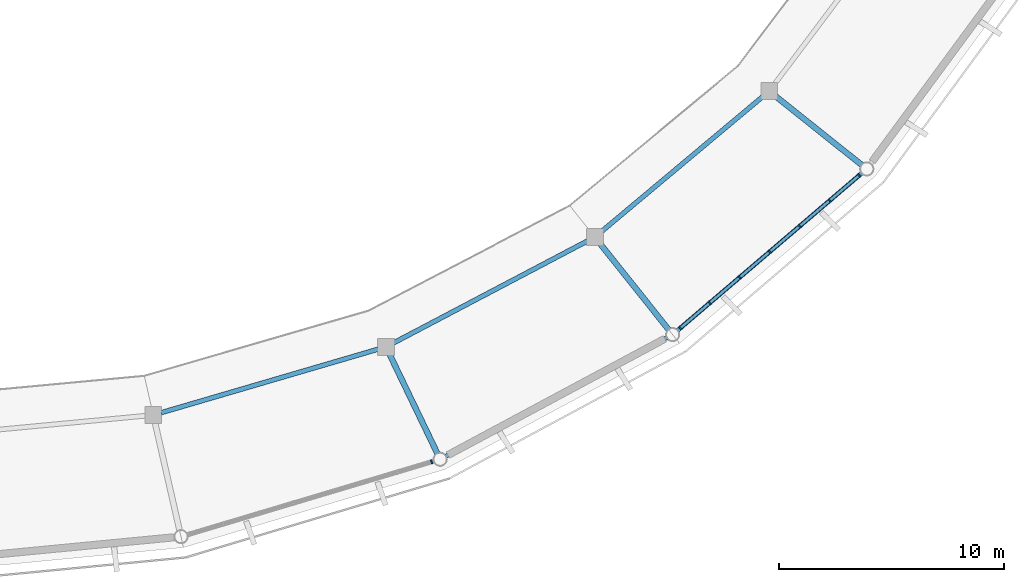
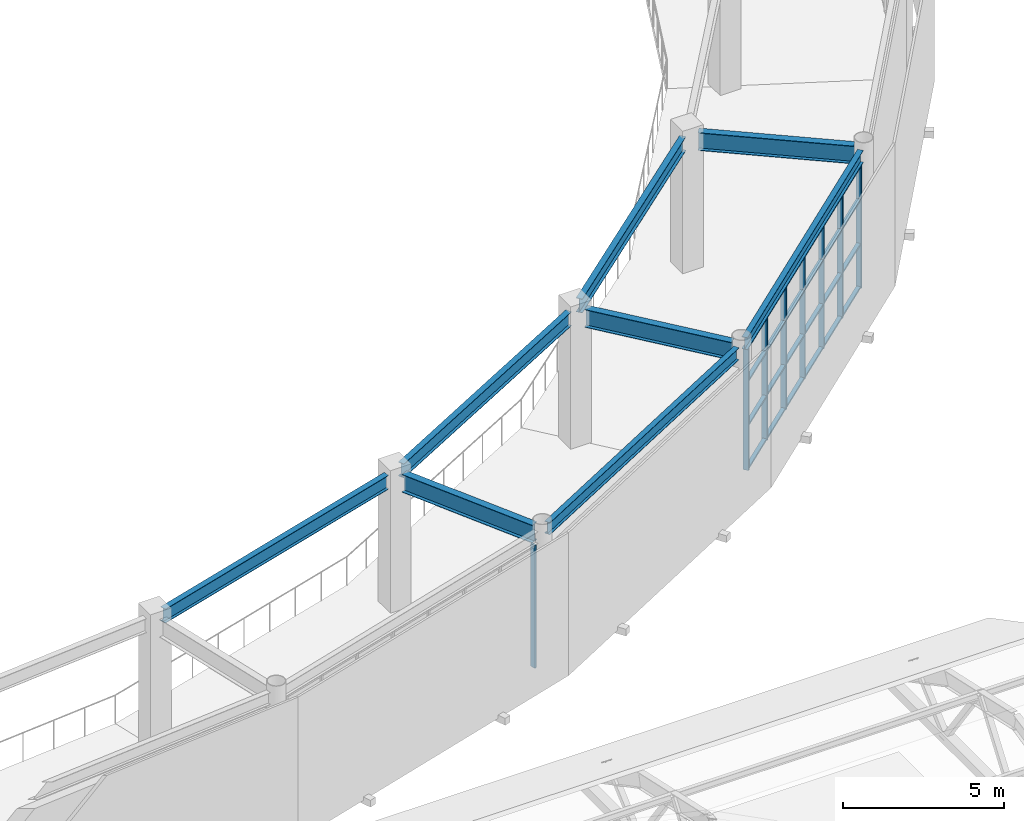
# One storey, part 22 of 70: 32 members, 8 beams, 2 elements without a shape of their own.
"""IFC4 building model written with IfcOpenShell, lengths in metres."""

import ifcopenshell
import ifcopenshell.guid

model = None  # the IFC model being written
_history = None  # IfcOwnerHistory: only IFC2X3 demands one
_inside = {}  # id of a spatial element -> (the spatial element, [elements in it])
_under = {}  # id of a project, library or spatial element -> (it, [spatial elements below it])
_declared = {}  # id of a project -> (the project, [libraries it declares])
_typed = {}  # id of a type object -> (the type object, [elements of that type])
_made_of = {}  # id of a material, layer set ... -> (it, [elements and type objects made of it])


def new_model(schema):
    """Start an empty IFC model of exactly this schema.

    Asked for "IFC4X3", IfcOpenShell would pick the latest addendum, in which some entities
    have other attributes; the version numbers below select the first issue.
    IFC2X3 requires an IfcOwnerHistory on every rooted entity: one is made here for all.
    """
    global model, _history
    if schema == "IFC4X3":
        model = ifcopenshell.file(schema_version=(4, 3, 0, 0))
    else:
        model = ifcopenshell.file(schema=schema)
    _inside.clear()
    _under.clear()
    _declared.clear()
    _typed.clear()
    _made_of.clear()
    _history = None
    if model.schema == "IFC2X3":
        org = make("IfcOrganization", Name="unknown")
        user = make(
            "IfcPersonAndOrganization",
            ThePerson=make("IfcPerson", FamilyName="unknown"),
            TheOrganization=org,
        )
        app = make(
            "IfcApplication",
            ApplicationDeveloper=org,
            Version="unknown",
            ApplicationFullName="unknown",
            ApplicationIdentifier="unknown",
        )
        _history = make(
            "IfcOwnerHistory",
            OwningUser=user,
            OwningApplication=app,
            ChangeAction="ADDED",
            CreationDate=0,
        )
    return model


def make(cls, **values):
    """One entity of the class cls with the attributes given. An attribute that is None is left unset."""
    return model.create_entity(
        cls, **{name: value for name, value in values.items() if value is not None}
    )


def rooted(cls, **values):
    """An entity with a GlobalId (a new one), such as an element, a storey or a relation."""
    return make(cls, GlobalId=ifcopenshell.guid.new(), OwnerHistory=_history, **values)


def si_unit(unit_type, name, prefix=None):
    """IfcSIUnit, for example si_unit("LENGTHUNIT", "METRE", prefix="MILLI")."""
    return make("IfcSIUnit", UnitType=unit_type, Prefix=prefix, Name=name)


def assignment(units):
    """IfcUnitAssignment: the units of a project."""
    return None if units is None else make("IfcUnitAssignment", Units=units)


def point(xyz):
    """IfcCartesianPoint."""
    return None if xyz is None else make("IfcCartesianPoint", Coordinates=xyz)


def direction(xyz):
    """IfcDirection."""
    return None if xyz is None else make("IfcDirection", DirectionRatios=xyz)


def frame(location, z_axis=None, x_axis=None):
    """IfcAxis2Placement3D, a coordinate frame: its origin and axes. An axis left out is left unset."""
    return make(
        "IfcAxis2Placement3D",
        Location=point(location),
        Axis=direction(z_axis),
        RefDirection=direction(x_axis),
    )


def frame_2d(location, x_axis=None):
    """IfcAxis2Placement2D, a coordinate frame in the plane: its origin and x axis."""
    return make(
        "IfcAxis2Placement2D", Location=point(location), RefDirection=direction(x_axis)
    )


def origin():
    """The frame at (0, 0, 0) with its axes left unset."""
    return frame((0.0, 0.0, 0.0))


def origin_2d():
    """The frame at (0, 0) in the plane with its x axis left unset."""
    return frame_2d((0.0, 0.0))


def place(relative_to, where):
    """IfcLocalPlacement: puts the frame where relative to a parent placement (None: the world)."""
    return make(
        "IfcLocalPlacement", PlacementRelTo=relative_to, RelativePlacement=where
    )


def context(
    kind, dimensions, precision=None, world=None, true_north=None, identifier=None
):
    """IfcGeometricRepresentationContext, for example the 3D "Model" context."""
    return make(
        "IfcGeometricRepresentationContext",
        ContextIdentifier=identifier,
        ContextType=kind,
        CoordinateSpaceDimension=dimensions,
        Precision=precision,
        WorldCoordinateSystem=world,
        TrueNorth=true_north,
    )


def subcontext(parent, identifier, kind, view, scale=None):
    """IfcGeometricRepresentationSubContext, for example "Body" below "Model"."""
    return make(
        "IfcGeometricRepresentationSubContext",
        ContextIdentifier=identifier,
        ContextType=kind,
        ParentContext=parent,
        TargetScale=scale,
        TargetView=view,
    )


def project(units=None, contexts=None):
    """IfcProject with its units and contexts."""
    return rooted(
        "IfcProject",
        Name="project",
        RepresentationContexts=contexts,
        UnitsInContext=assignment(units),
    )


def spatial(cls, under=None, at=None, **own):
    """A site, building, storey or space (cls), placed at a placement, below another one or the project."""
    s = rooted(cls, ObjectPlacement=at, **own)
    if under is not None:
        _under.setdefault(under.id(), (under, []))[1].append(s)
    return s


def profile(cls, at=None, kind="AREA", **sizes):
    """A parametric profile (cls). Its sizes go by their IFC names, for example OverallWidth=200.0."""
    return make(cls, ProfileType=kind, Position=at, **sizes)


def rectangle(**sizes):
    """IfcRectangleProfileDef."""
    return profile("IfcRectangleProfileDef", **sizes)


def i_section(**sizes):
    """IfcIShapeProfileDef."""
    return profile("IfcIShapeProfileDef", **sizes)


def extrude(swept, where, along, depth):
    """IfcExtrudedAreaSolid: the profile swept, set in the frame where, extruded along a direction by depth."""
    return make(
        "IfcExtrudedAreaSolid",
        SweptArea=swept,
        Position=where,
        ExtrudedDirection=direction(along),
        Depth=depth,
    )


def shape(context_of_items, identifier, shape_type, items):
    """IfcShapeRepresentation: the items that make up one representation, for example the "Body"."""
    return make(
        "IfcShapeRepresentation",
        ContextOfItems=context_of_items,
        RepresentationIdentifier=identifier,
        RepresentationType=shape_type,
        Items=items,
    )


def material(Name=None, Category=None):
    """IfcMaterial."""
    return make("IfcMaterial", Name=Name, Category=Category)


def material_profile(
    of_material, cross_section, Name=None, Category=None, Priority=None
):
    """IfcMaterialProfile: a cross section and its material."""
    return make(
        "IfcMaterialProfile",
        Name=Name,
        Material=of_material,
        Profile=cross_section,
        Priority=Priority,
        Category=Category,
    )


def profile_set(profiles, Name=None, composite=None):
    """IfcMaterialProfileSet."""
    return make(
        "IfcMaterialProfileSet",
        Name=Name,
        MaterialProfiles=profiles,
        CompositeProfile=composite,
    )


def made_of(thing, what):
    """Note that an element or type object is made of a material, layer set ...; save() writes the relation."""
    if what is not None:
        _made_of.setdefault(what.id(), (what, []))[1].append(thing)
    return thing


def type_object(cls, material=None, **own):
    """A type object (cls), such as IfcWallType, which elements share."""
    return made_of(rooted(cls, **own), material)


def element(
    cls,
    number,
    at=None,
    inside=None,
    cuts=None,
    type_object=None,
    material=None,
    context=None,
    identifier="Body",
    shape_type=None,
    held_by="IfcProductDefinitionShape",
    body=None,
    shapes=None,
    **own,
):
    """One element of the class cls, such as IfcWall. Its Tag is "e" and its number.

    at: its placement. inside: the storey or other place that contains it. cuts: it is an
    opening in that element (IfcRelVoidsElement). A single representation is given by context,
    identifier, shape_type and body (its items); several are given by shapes. held_by: the class
    of the entity that holds the representations. save() writes the other relations.
    """
    e = rooted(cls, Tag="e%d" % number, ObjectPlacement=at, **own)
    if body is not None:
        shapes = [shape(context, identifier, shape_type, body)]
    if shapes is not None:
        e.Representation = make(held_by, Representations=shapes)
    if inside is not None:
        _inside.setdefault(inside.id(), (inside, []))[1].append(e)
    if cuts is not None:
        rooted(
            "IfcRelVoidsElement", RelatingBuildingElement=cuts, RelatedOpeningElement=e
        )
    if type_object is not None:
        _typed.setdefault(type_object.id(), (type_object, []))[1].append(e)
    return made_of(e, material)


def aggregate(whole, parts):
    """IfcRelAggregates: a whole, such as a stair, and the parts it consists of."""
    return rooted("IfcRelAggregates", RelatingObject=whole, RelatedObjects=parts)


def save(model, path):
    """Write the relations noted so far, then the file.

    IfcRelAggregates (storeys below a building ...), IfcRelContainedInSpatialStructure (elements
    in a storey), IfcRelDefinesByType, IfcRelAssociatesMaterial and IfcRelDeclares: one each for
    every whole, place, type object, material and project.
    """
    for whole, parts in _under.values():
        aggregate(whole, parts)
    for where, things in _inside.values():
        rooted(
            "IfcRelContainedInSpatialStructure",
            RelatedElements=things,
            RelatingStructure=where,
        )
    for kind, things in _typed.values():
        rooted("IfcRelDefinesByType", RelatedObjects=things, RelatingType=kind)
    for what, things in _made_of.values():
        rooted("IfcRelAssociatesMaterial", RelatedObjects=things, RelatingMaterial=what)
    for by, libraries in _declared.values():
        rooted("IfcRelDeclares", RelatingContext=by, RelatedDefinitions=libraries)
    model.write(path)


model = new_model("IFC4")

# Units and contexts
model_context = context("Model", 3, precision=1e-05, world=origin(), true_north=direction((0.0, 1.0)))
body_context = subcontext(model_context, "Body", "Model", "MODEL_VIEW")
ifc_project = project(units=[si_unit("LENGTHUNIT", "METRE"), si_unit("AREAUNIT", "SQUARE_METRE"), si_unit("VOLUMEUNIT", "CUBIC_METRE"), si_unit("PLANEANGLEUNIT", "RADIAN"), si_unit("MASSUNIT", "GRAM", prefix="KILO")], contexts=[model_context])

# Site, building, storey
site_placement = place(None, origin())
site = spatial("IfcSite", under=ifc_project, at=site_placement, CompositionType="ELEMENT")
building_placement = place(site_placement, origin())
building = spatial("IfcBuilding", under=site, at=building_placement, Name="Cuetzalor Civic Arena", CompositionType="ELEMENT")
storey_placement = place(building_placement, frame((0.0, 0.0, 21.0)))
storey = spatial("IfcBuildingStorey", under=building, at=storey_placement, Name="L04", CompositionType="ELEMENT", Elevation=21.0)

# Curtain wall, member
ifc_material_1 = material(Name="Anodised dark bronze aluminium and low-E solar glass", Category="aluminium")
curtain_wall_type_1 = type_object("IfcCurtainWallType", Name="UnitisedCW_11300x4650", PredefinedType="USERDEFINED", material=ifc_material_1)
curtain_wall_1_placement = place(storey_placement, origin())
curtain_wall_1 = element("IfcCurtainWall", 1, at=curtain_wall_1_placement, inside=storey, type_object=curtain_wall_type_1, Name="Drum Triangle Foyer Curtain Wall L04-066", ObjectType="UNITISED CURTAIN WALL", PredefinedType="USERDEFINED")
ifc_material_2 = material(Name="Anodised dark bronze aluminium", Category="aluminium")
ifc_material_profile_1 = material_profile(ifc_material_2, rectangle(XDim=0.070068359375, YDim=0.179931640625, at=origin_2d()), Name="ALU MULLION 70x180")
ifc_profile_set_1 = profile_set([ifc_material_profile_1], Name="Anodised dark bronze aluminium")
member_type_1 = type_object("IfcMemberType", Name="CurtainWallMullion_65x180", PredefinedType="MULLION", material=ifc_profile_set_1)
member_1_placement = place(storey_placement, frame((23.28857421875, -42.053466796875, 0.0), z_axis=(0.0, 0.0, 1.0), x_axis=(-0.958193690548, -0.286120344251, 0.0)))
member_1 = element("IfcMember", 2, at=member_1_placement, type_object=member_type_1, Name="CW-09 mullion 1", PredefinedType="MULLION", context=body_context, shape_type="SweptSolid", body=[
    extrude(rectangle(XDim=0.070068359375, YDim=0.179931640625, at=origin_2d()), origin(), (0.0, 0.0, 1.0), 4.653076171875),
])
aggregate(curtain_wall_1, [member_1])

# Curtain wall, members
ifc_material_3 = material(Name="Anodised dark bronze aluminium and low-E solar glass", Category="aluminium")
curtain_wall_type_2 = type_object("IfcCurtainWallType", Name="UnitisedCW_10550x4650", PredefinedType="USERDEFINED", material=ifc_material_3)
curtain_wall_2_placement = place(storey_placement, origin())
curtain_wall_2 = element("IfcCurtainWall", 3, at=curtain_wall_2_placement, inside=storey, type_object=curtain_wall_type_2, Name="Drum Triangle Foyer Curtain Wall L04-067", ObjectType="UNITISED CURTAIN WALL", PredefinedType="USERDEFINED")
member_2_placement = place(storey_placement, frame((42.308837890625, -29.313720703125, 0.0), z_axis=(0.0, 0.0, 1.0), x_axis=(-0.760677142663, -0.64913040649, 0.0)))
member_2 = element("IfcMember", 4, at=member_2_placement, type_object=member_type_1, Name="CW-10 mullion 1", PredefinedType="MULLION", context=body_context, shape_type="SweptSolid", body=[
    extrude(rectangle(XDim=0.070068359375, YDim=0.179931640625, at=origin_2d()), origin(), (0.0, 0.0, 1.0), 4.653076171875),
])
member_3_placement = place(storey_placement, frame((41.00048828125, -30.43017578125, 0.0), z_axis=(0.0, 0.0, 1.0), x_axis=(-0.760677142663, -0.64913040649, 0.0)))
member_3 = element("IfcMember", 5, at=member_3_placement, type_object=member_type_1, Name="CW-10 mullion 2", PredefinedType="MULLION", context=body_context, shape_type="SweptSolid", body=[
    extrude(rectangle(XDim=0.070068359375, YDim=0.179931640625, at=origin_2d()), origin(), (0.0, 0.0, 1.0), 4.653076171875),
])
member_4_placement = place(storey_placement, frame((39.665283203125, -31.569580078125, 0.0), z_axis=(0.0, 0.0, 1.0), x_axis=(-0.760677142663, -0.64913040649, 0.0)))
member_4 = element("IfcMember", 6, at=member_4_placement, type_object=member_type_1, Name="CW-10 mullion 3", PredefinedType="MULLION", context=body_context, shape_type="SweptSolid", body=[
    extrude(rectangle(XDim=0.070068359375, YDim=0.179931640625, at=origin_2d()), origin(), (0.0, 0.0, 1.0), 4.653076171875),
])
member_5_placement = place(storey_placement, frame((38.330078125, -32.708984375, 0.0), z_axis=(0.0, 0.0, 1.0), x_axis=(-0.760677142663, -0.64913040649, 0.0)))
member_5 = element("IfcMember", 7, at=member_5_placement, type_object=member_type_1, Name="CW-10 mullion 4", PredefinedType="MULLION", context=body_context, shape_type="SweptSolid", body=[
    extrude(rectangle(XDim=0.070068359375, YDim=0.179931640625, at=origin_2d()), origin(), (0.0, 0.0, 1.0), 4.653076171875),
])
member_6_placement = place(storey_placement, frame((36.9951171875, -33.84814453125, 0.0), z_axis=(0.0, 0.0, 1.0), x_axis=(-0.760677142663, -0.64913040649, 0.0)))
member_6 = element("IfcMember", 8, at=member_6_placement, type_object=member_type_1, Name="CW-10 mullion 5", PredefinedType="MULLION", context=body_context, shape_type="SweptSolid", body=[
    extrude(rectangle(XDim=0.070068359375, YDim=0.179931640625, at=origin_2d()), origin(), (0.0, 0.0, 1.0), 4.653076171875),
])
member_7_placement = place(storey_placement, frame((35.659912109375, -34.987548828125, 0.0), z_axis=(0.0, 0.0, 1.0), x_axis=(-0.760677142663, -0.64913040649, 0.0)))
member_7 = element("IfcMember", 9, at=member_7_placement, type_object=member_type_1, Name="CW-10 mullion 6", PredefinedType="MULLION", context=body_context, shape_type="SweptSolid", body=[
    extrude(rectangle(XDim=0.070068359375, YDim=0.179931640625, at=origin_2d()), origin(), (0.0, 0.0, 1.0), 4.653076171875),
])
member_8_placement = place(storey_placement, frame((34.351318359375, -36.104248046875, 0.0), z_axis=(0.0, 0.0, 1.0), x_axis=(-0.760677142663, -0.64913040649, 0.0)))
member_8 = element("IfcMember", 10, at=member_8_placement, type_object=member_type_1, Name="CW-10 mullion 7", PredefinedType="MULLION", context=body_context, shape_type="SweptSolid", body=[
    extrude(rectangle(XDim=0.070068359375, YDim=0.179931640625, at=origin_2d()), origin(), (0.0, 0.0, 1.0), 4.653076171875),
])
ifc_material_4 = material(Name="Anodised dark bronze aluminium", Category="aluminium")
ifc_material_profile_2 = material_profile(ifc_material_4, rectangle(XDim=0.139892578125, YDim=0.070068359375, at=origin_2d()), Name="ALU TRANSOM 70x140")
ifc_profile_set_2 = profile_set([ifc_material_profile_2], Name="Anodised dark bronze aluminium")
member_type_2 = type_object("IfcMemberType", Name="CurtainWallTransom_65x140", PredefinedType="USERDEFINED", material=ifc_profile_set_2)
member_9_placement = place(storey_placement, frame((42.2822265625, -29.33642578125, 0.034912109375), z_axis=(-0.760685671195, -0.64912041228, 0.0), x_axis=(0.64912041228, -0.760685671195, 0.0)))
member_9 = element("IfcMember", 11, at=member_9_placement, type_object=member_type_2, Name="CW-10 transom 1.1", ObjectType="TRANSOM", PredefinedType="USERDEFINED", context=body_context, shape_type="SweptSolid", body=[
    extrude(rectangle(XDim=0.139892578125, YDim=0.070068359375, at=origin_2d()), origin(), (0.0, 0.0, 1.0), 1.64990234375),
])
member_10_placement = place(storey_placement, frame((42.2822265625, -29.33642578125, 1.675048828125), z_axis=(-0.760685671195, -0.64912041228, 0.0), x_axis=(0.64912041228, -0.760685671195, 0.0)))
member_10 = element("IfcMember", 12, at=member_10_placement, type_object=member_type_2, Name="CW-10 transom 1.2", ObjectType="TRANSOM", PredefinedType="USERDEFINED", context=body_context, shape_type="SweptSolid", body=[
    extrude(rectangle(XDim=0.139892578125, YDim=0.070068359375, at=origin_2d()), origin(), (0.0, 0.0, 1.0), 1.64990234375),
])
member_11_placement = place(storey_placement, frame((42.2822265625, -29.33642578125, 3.35009765625), z_axis=(-0.760685671195, -0.64912041228, 0.0), x_axis=(0.64912041228, -0.760685671195, 0.0)))
member_11 = element("IfcMember", 13, at=member_11_placement, type_object=member_type_2, Name="CW-10 transom 1.3", ObjectType="TRANSOM", PredefinedType="USERDEFINED", context=body_context, shape_type="SweptSolid", body=[
    extrude(rectangle(XDim=0.139892578125, YDim=0.070068359375, at=origin_2d()), origin(), (0.0, 0.0, 1.0), 1.64990234375),
])
member_12_placement = place(storey_placement, frame((42.2822265625, -29.33642578125, 4.617919921875), z_axis=(-0.760685671195, -0.64912041228, 0.0), x_axis=(0.64912041228, -0.760685671195, 0.0)))
member_12 = element("IfcMember", 14, at=member_12_placement, type_object=member_type_2, Name="CW-10 transom 1.4", ObjectType="TRANSOM", PredefinedType="USERDEFINED", context=body_context, shape_type="SweptSolid", body=[
    extrude(rectangle(XDim=0.139892578125, YDim=0.070068359375, at=origin_2d()), origin(), (0.0, 0.0, 1.0), 1.64990234375),
])
member_13_placement = place(storey_placement, frame((40.973876953125, -30.452880859375, 0.034912109375), z_axis=(-0.760676154185, -0.649131564826, 0.0), x_axis=(0.649131564826, -0.760676154185, 0.0)))
member_13 = element("IfcMember", 15, at=member_13_placement, type_object=member_type_2, Name="CW-10 transom 2.1", ObjectType="TRANSOM", PredefinedType="USERDEFINED", context=body_context, shape_type="SweptSolid", body=[
    extrude(rectangle(XDim=0.139892578125, YDim=0.070068359375, at=origin_2d()), origin(), (0.0, 0.0, 1.0), 1.685302734375),
])
member_14_placement = place(storey_placement, frame((40.973876953125, -30.452880859375, 1.675048828125), z_axis=(-0.760676154185, -0.649131564826, 0.0), x_axis=(0.649131564826, -0.760676154185, 0.0)))
member_14 = element("IfcMember", 16, at=member_14_placement, type_object=member_type_2, Name="CW-10 transom 2.2", ObjectType="TRANSOM", PredefinedType="USERDEFINED", context=body_context, shape_type="SweptSolid", body=[
    extrude(rectangle(XDim=0.139892578125, YDim=0.070068359375, at=origin_2d()), origin(), (0.0, 0.0, 1.0), 1.685302734375),
])
member_15_placement = place(storey_placement, frame((40.973876953125, -30.452880859375, 3.35009765625), z_axis=(-0.760676154185, -0.649131564826, 0.0), x_axis=(0.649131564826, -0.760676154185, 0.0)))
member_15 = element("IfcMember", 17, at=member_15_placement, type_object=member_type_2, Name="CW-10 transom 2.3", ObjectType="TRANSOM", PredefinedType="USERDEFINED", context=body_context, shape_type="SweptSolid", body=[
    extrude(rectangle(XDim=0.139892578125, YDim=0.070068359375, at=origin_2d()), origin(), (0.0, 0.0, 1.0), 1.685302734375),
])
member_16_placement = place(storey_placement, frame((40.973876953125, -30.452880859375, 4.617919921875), z_axis=(-0.760676154185, -0.649131564826, 0.0), x_axis=(0.649131564826, -0.760676154185, 0.0)))
member_16 = element("IfcMember", 18, at=member_16_placement, type_object=member_type_2, Name="CW-10 transom 2.4", ObjectType="TRANSOM", PredefinedType="USERDEFINED", context=body_context, shape_type="SweptSolid", body=[
    extrude(rectangle(XDim=0.139892578125, YDim=0.070068359375, at=origin_2d()), origin(), (0.0, 0.0, 1.0), 1.685302734375),
])
member_17_placement = place(storey_placement, frame((39.638671875, -31.59228515625, 0.034912109375), z_axis=(-0.760676154185, -0.649131564826, 0.0), x_axis=(0.649131564826, -0.760676154185, 0.0)))
member_17 = element("IfcMember", 19, at=member_17_placement, type_object=member_type_2, Name="CW-10 transom 3.1", ObjectType="TRANSOM", PredefinedType="USERDEFINED", context=body_context, shape_type="SweptSolid", body=[
    extrude(rectangle(XDim=0.139892578125, YDim=0.070068359375, at=origin_2d()), origin(), (0.0, 0.0, 1.0), 1.685302734375),
])
member_18_placement = place(storey_placement, frame((39.638671875, -31.59228515625, 1.675048828125), z_axis=(-0.760676154185, -0.649131564826, 0.0), x_axis=(0.649131564826, -0.760676154185, 0.0)))
member_18 = element("IfcMember", 20, at=member_18_placement, type_object=member_type_2, Name="CW-10 transom 3.2", ObjectType="TRANSOM", PredefinedType="USERDEFINED", context=body_context, shape_type="SweptSolid", body=[
    extrude(rectangle(XDim=0.139892578125, YDim=0.070068359375, at=origin_2d()), origin(), (0.0, 0.0, 1.0), 1.685302734375),
])
member_19_placement = place(storey_placement, frame((39.638671875, -31.59228515625, 3.35009765625), z_axis=(-0.760676154185, -0.649131564826, 0.0), x_axis=(0.649131564826, -0.760676154185, 0.0)))
member_19 = element("IfcMember", 21, at=member_19_placement, type_object=member_type_2, Name="CW-10 transom 3.3", ObjectType="TRANSOM", PredefinedType="USERDEFINED", context=body_context, shape_type="SweptSolid", body=[
    extrude(rectangle(XDim=0.139892578125, YDim=0.070068359375, at=origin_2d()), origin(), (0.0, 0.0, 1.0), 1.685302734375),
])
member_20_placement = place(storey_placement, frame((39.638671875, -31.59228515625, 4.617919921875), z_axis=(-0.760676154185, -0.649131564826, 0.0), x_axis=(0.649131564826, -0.760676154185, 0.0)))
member_20 = element("IfcMember", 22, at=member_20_placement, type_object=member_type_2, Name="CW-10 transom 3.4", ObjectType="TRANSOM", PredefinedType="USERDEFINED", context=body_context, shape_type="SweptSolid", body=[
    extrude(rectangle(XDim=0.139892578125, YDim=0.070068359375, at=origin_2d()), origin(), (0.0, 0.0, 1.0), 1.685302734375),
])
member_21_placement = place(storey_placement, frame((38.303466796875, -32.731689453125, 0.034912109375), z_axis=(-0.760686645348, -0.649119270697, 0.0), x_axis=(0.649119270697, -0.760686645348, 0.0)))
member_21 = element("IfcMember", 23, at=member_21_placement, type_object=member_type_2, Name="CW-10 transom 4.1", ObjectType="TRANSOM", PredefinedType="USERDEFINED", context=body_context, shape_type="SweptSolid", body=[
    extrude(rectangle(XDim=0.139892578125, YDim=0.070068359375, at=origin_2d()), origin(), (0.0, 0.0, 1.0), 1.68505859375),
])
member_22_placement = place(storey_placement, frame((38.303466796875, -32.731689453125, 1.675048828125), z_axis=(-0.760686645348, -0.649119270697, 0.0), x_axis=(0.649119270697, -0.760686645348, 0.0)))
member_22 = element("IfcMember", 24, at=member_22_placement, type_object=member_type_2, Name="CW-10 transom 4.2", ObjectType="TRANSOM", PredefinedType="USERDEFINED", context=body_context, shape_type="SweptSolid", body=[
    extrude(rectangle(XDim=0.139892578125, YDim=0.070068359375, at=origin_2d()), origin(), (0.0, 0.0, 1.0), 1.68505859375),
])
member_23_placement = place(storey_placement, frame((38.303466796875, -32.731689453125, 3.35009765625), z_axis=(-0.760686645348, -0.649119270697, 0.0), x_axis=(0.649119270697, -0.760686645348, 0.0)))
member_23 = element("IfcMember", 25, at=member_23_placement, type_object=member_type_2, Name="CW-10 transom 4.3", ObjectType="TRANSOM", PredefinedType="USERDEFINED", context=body_context, shape_type="SweptSolid", body=[
    extrude(rectangle(XDim=0.139892578125, YDim=0.070068359375, at=origin_2d()), origin(), (0.0, 0.0, 1.0), 1.68505859375),
])
member_24_placement = place(storey_placement, frame((38.303466796875, -32.731689453125, 4.617919921875), z_axis=(-0.760686645348, -0.649119270697, 0.0), x_axis=(0.649119270697, -0.760686645348, 0.0)))
member_24 = element("IfcMember", 26, at=member_24_placement, type_object=member_type_2, Name="CW-10 transom 4.4", ObjectType="TRANSOM", PredefinedType="USERDEFINED", context=body_context, shape_type="SweptSolid", body=[
    extrude(rectangle(XDim=0.139892578125, YDim=0.070068359375, at=origin_2d()), origin(), (0.0, 0.0, 1.0), 1.68505859375),
])
member_25_placement = place(storey_placement, frame((36.968505859375, -33.870849609375, 0.034912109375), z_axis=(-0.760676154185, -0.649131564826, 0.0), x_axis=(0.649131564826, -0.760676154185, 0.0)))
member_25 = element("IfcMember", 27, at=member_25_placement, type_object=member_type_2, Name="CW-10 transom 5.1", ObjectType="TRANSOM", PredefinedType="USERDEFINED", context=body_context, shape_type="SweptSolid", body=[
    extrude(rectangle(XDim=0.139892578125, YDim=0.070068359375, at=origin_2d()), origin(), (0.0, 0.0, 1.0), 1.685302734375),
])
member_26_placement = place(storey_placement, frame((36.968505859375, -33.870849609375, 1.675048828125), z_axis=(-0.760676154185, -0.649131564826, 0.0), x_axis=(0.649131564826, -0.760676154185, 0.0)))
member_26 = element("IfcMember", 28, at=member_26_placement, type_object=member_type_2, Name="CW-10 transom 5.2", ObjectType="TRANSOM", PredefinedType="USERDEFINED", context=body_context, shape_type="SweptSolid", body=[
    extrude(rectangle(XDim=0.139892578125, YDim=0.070068359375, at=origin_2d()), origin(), (0.0, 0.0, 1.0), 1.685302734375),
])
member_27_placement = place(storey_placement, frame((36.968505859375, -33.870849609375, 3.35009765625), z_axis=(-0.760676154185, -0.649131564826, 0.0), x_axis=(0.649131564826, -0.760676154185, 0.0)))
member_27 = element("IfcMember", 29, at=member_27_placement, type_object=member_type_2, Name="CW-10 transom 5.3", ObjectType="TRANSOM", PredefinedType="USERDEFINED", context=body_context, shape_type="SweptSolid", body=[
    extrude(rectangle(XDim=0.139892578125, YDim=0.070068359375, at=origin_2d()), origin(), (0.0, 0.0, 1.0), 1.685302734375),
])
member_28_placement = place(storey_placement, frame((36.968505859375, -33.870849609375, 4.617919921875), z_axis=(-0.760676154185, -0.649131564826, 0.0), x_axis=(0.649131564826, -0.760676154185, 0.0)))
member_28 = element("IfcMember", 30, at=member_28_placement, type_object=member_type_2, Name="CW-10 transom 5.4", ObjectType="TRANSOM", PredefinedType="USERDEFINED", context=body_context, shape_type="SweptSolid", body=[
    extrude(rectangle(XDim=0.139892578125, YDim=0.070068359375, at=origin_2d()), origin(), (0.0, 0.0, 1.0), 1.685302734375),
])
member_29_placement = place(storey_placement, frame((35.63330078125, -35.01025390625, 0.034912109375), z_axis=(-0.76067495784, -0.649132966745, 0.0), x_axis=(0.649132966745, -0.76067495784, 0.0)))
member_29 = element("IfcMember", 31, at=member_29_placement, type_object=member_type_2, Name="CW-10 transom 6.1", ObjectType="TRANSOM", PredefinedType="USERDEFINED", context=body_context, shape_type="SweptSolid", body=[
    extrude(rectangle(XDim=0.139892578125, YDim=0.070068359375, at=origin_2d()), origin(), (0.0, 0.0, 1.0), 1.650390625),
])
member_30_placement = place(storey_placement, frame((35.63330078125, -35.01025390625, 1.675048828125), z_axis=(-0.76067495784, -0.649132966745, 0.0), x_axis=(0.649132966745, -0.76067495784, 0.0)))
member_30 = element("IfcMember", 32, at=member_30_placement, type_object=member_type_2, Name="CW-10 transom 6.2", ObjectType="TRANSOM", PredefinedType="USERDEFINED", context=body_context, shape_type="SweptSolid", body=[
    extrude(rectangle(XDim=0.139892578125, YDim=0.070068359375, at=origin_2d()), origin(), (0.0, 0.0, 1.0), 1.650390625),
])
member_31_placement = place(storey_placement, frame((35.63330078125, -35.01025390625, 3.35009765625), z_axis=(-0.76067495784, -0.649132966745, 0.0), x_axis=(0.649132966745, -0.76067495784, 0.0)))
member_31 = element("IfcMember", 33, at=member_31_placement, type_object=member_type_2, Name="CW-10 transom 6.3", ObjectType="TRANSOM", PredefinedType="USERDEFINED", context=body_context, shape_type="SweptSolid", body=[
    extrude(rectangle(XDim=0.139892578125, YDim=0.070068359375, at=origin_2d()), origin(), (0.0, 0.0, 1.0), 1.650390625),
])
member_32_placement = place(storey_placement, frame((35.63330078125, -35.01025390625, 4.617919921875), z_axis=(-0.76067495784, -0.649132966745, 0.0), x_axis=(0.649132966745, -0.76067495784, 0.0)))
member_32 = element("IfcMember", 34, at=member_32_placement, type_object=member_type_2, Name="CW-10 transom 6.4", ObjectType="TRANSOM", PredefinedType="USERDEFINED", context=body_context, shape_type="SweptSolid", body=[
    extrude(rectangle(XDim=0.139892578125, YDim=0.070068359375, at=origin_2d()), origin(), (0.0, 0.0, 1.0), 1.650390625),
])
aggregate(curtain_wall_2, [member_2, member_3, member_4, member_5, member_6, member_7, member_8, member_9, member_10, member_11, member_12, member_13, member_14, member_15, member_16, member_17, member_18, member_19, member_20, member_21, member_22, member_23, member_24, member_25, member_26, member_27, member_28, member_29, member_30, member_31, member_32])

# Beams
ifc_material_5 = material(Name="Steel S355", Category="steel")
ifc_material_profile_3 = material_profile(ifc_material_5, i_section(OverallWidth=0.18994140625, OverallDepth=0.45703125, WebThickness=0.009033203125, FlangeThickness=0.014404296875, at=origin_2d()), Name="W460x74")
ifc_profile_set_3 = profile_set([ifc_material_profile_3], Name="Steel S355")
beam_type_1 = type_object("IfcBeamType", Name="FacadeSpandrelBeam_W460", PredefinedType="SPANDREL", material=ifc_profile_set_3)
beam_1_placement = place(storey_placement, frame((23.924072265625, -41.802978515625, 4.8916015625), z_axis=(0.881304552514, 0.472548712534, 0.0), x_axis=(-0.472548712534, 0.881304552514, 0.0)))
element("IfcBeam", 35, at=beam_1_placement, inside=storey, type_object=beam_type_1, Name="Drum Perimeter Spandrel L04-S24", PredefinedType="SPANDREL", context=body_context, shape_type="SweptSolid", body=[
    extrude(i_section(OverallWidth=0.18994140625, OverallDepth=0.45703125, WebThickness=0.009033203125, FlangeThickness=0.014404296875, at=origin_2d()), origin(), (0.0, 0.0, 1.0), 11.156005859375),
])
beam_2_placement = place(storey_placement, frame((34.23193359375, -36.2060546875, 4.8916015625), z_axis=(0.760676650628, 0.649130983076, 0.0), x_axis=(-0.649130983076, 0.760676650628, 0.0)))
element("IfcBeam", 36, at=beam_2_placement, inside=storey, type_object=beam_type_1, Name="Drum Perimeter Spandrel L04-S25", PredefinedType="SPANDREL", context=body_context, shape_type="SweptSolid", body=[
    extrude(i_section(OverallWidth=0.18994140625, OverallDepth=0.45703125, WebThickness=0.009033203125, FlangeThickness=0.014404296875, at=origin_2d()), origin(), (0.0, 0.0, 1.0), 10.77490234375),
])
ifc_material_6 = material(Name="Steel S355", Category="steel")
ifc_material_profile_4 = material_profile(ifc_material_6, i_section(OverallWidth=0.208984375, OverallDepth=0.532958984375, WebThickness=0.01025390625, FlangeThickness=0.015625, at=origin_2d()), Name="W530x92")
ifc_profile_set_4 = profile_set([ifc_material_profile_4], Name="Steel S355")
beam_type_2 = type_object("IfcBeamType", Name="SteelCollarGirder_W530", PredefinedType="BEAM", material=ifc_profile_set_4)
beam_3_placement = place(storey_placement, frame((11.258544921875, -39.867919921875, 4.853515625), z_axis=(0.959716323112, 0.280970779889, 0.0), x_axis=(-0.280970779889, 0.959716323112, 0.0)))
element("IfcBeam", 37, at=beam_3_placement, inside=storey, type_object=beam_type_2, Name="Drum Concourse Ring Girder L04-S23", PredefinedType="BEAM", context=body_context, shape_type="SweptSolid", body=[
    extrude(i_section(OverallWidth=0.208984375, OverallDepth=0.532958984375, WebThickness=0.01025390625, FlangeThickness=0.015625, at=origin_2d()), origin(), (0.0, 0.0, 1.0), 10.0517578125),
])
beam_4_placement = place(storey_placement, frame((21.587890625, -36.767578125, 4.853515625), z_axis=(0.885117354883, 0.465367884673, 0.0), x_axis=(-0.465367884673, 0.885117354883, 0.0)))
element("IfcBeam", 38, at=beam_4_placement, inside=storey, type_object=beam_type_2, Name="Drum Concourse Ring Girder L04-S24", PredefinedType="BEAM", context=body_context, shape_type="SweptSolid", body=[
    extrude(i_section(OverallWidth=0.208984375, OverallDepth=0.532958984375, WebThickness=0.01025390625, FlangeThickness=0.015625, at=origin_2d()), origin(), (0.0, 0.0, 1.0), 9.75634765625),
])
beam_5_placement = place(storey_placement, frame((30.834716796875, -31.817626953125, 4.853515625), z_axis=(0.766937066427, 0.641722320121, 0.0), x_axis=(-0.641722320121, 0.766937066427, 0.0)))
element("IfcBeam", 39, at=beam_5_placement, inside=storey, type_object=beam_type_2, Name="Drum Concourse Ring Girder L04-S25", PredefinedType="BEAM", context=body_context, shape_type="SweptSolid", body=[
    extrude(i_section(OverallWidth=0.208984375, OverallDepth=0.532958984375, WebThickness=0.01025390625, FlangeThickness=0.015625, at=origin_2d()), origin(), (0.0, 0.0, 1.0), 9.37646484375),
])
ifc_material_7 = material(Name="Steel S355", Category="steel")
ifc_material_profile_5 = material_profile(ifc_material_7, i_section(OverallWidth=0.2529296875, OverallDepth=0.677978515625, WebThickness=0.01171875, FlangeThickness=0.016357421875, at=origin_2d()), Name="W690x125")
ifc_profile_set_5 = profile_set([ifc_material_profile_5], Name="Steel S355")
beam_type_3 = type_object("IfcBeamType", Name="SteelPrimaryGirder_W690", PredefinedType="BEAM", material=ifc_profile_set_5)
for number, where, z_axis, x_axis, name in (
    (40, (21.41650390625, -37.263916015625, 4.781005859375), (0.433871046232, -0.900974980364, 0.0), (0.900974980364, 0.433871046232, 0.0), "Drum Radial Girder L04-R24"),
    (41, (30.775390625, -32.336669921875, 4.781005859375), (0.623515538789, -0.781810957258, 0.0), (0.781810957258, 0.623515538789, 0.0), "Drum Radial Girder L04-R25"),
    (42, (38.59130859375, -25.78759765625, 4.781005859375), (0.781810957258, -0.623515538789, 0.0), (0.623515538789, 0.781810957258, 0.0), "Drum Radial Girder L04-R26"),
):
    element("IfcBeam", number, at=place(storey_placement, frame(where, z_axis=z_axis, x_axis=x_axis)), inside=storey, type_object=beam_type_3, Name=name, PredefinedType="BEAM", context=body_context, shape_type="SweptSolid", body=[
        extrude(i_section(OverallWidth=0.2529296875, OverallDepth=0.677978515625, WebThickness=0.01171875, FlangeThickness=0.016357421875, at=origin_2d()), origin(), (0.0, 0.0, 1.0), 4.89990234375),
    ])

save(model, "model.ifc")
